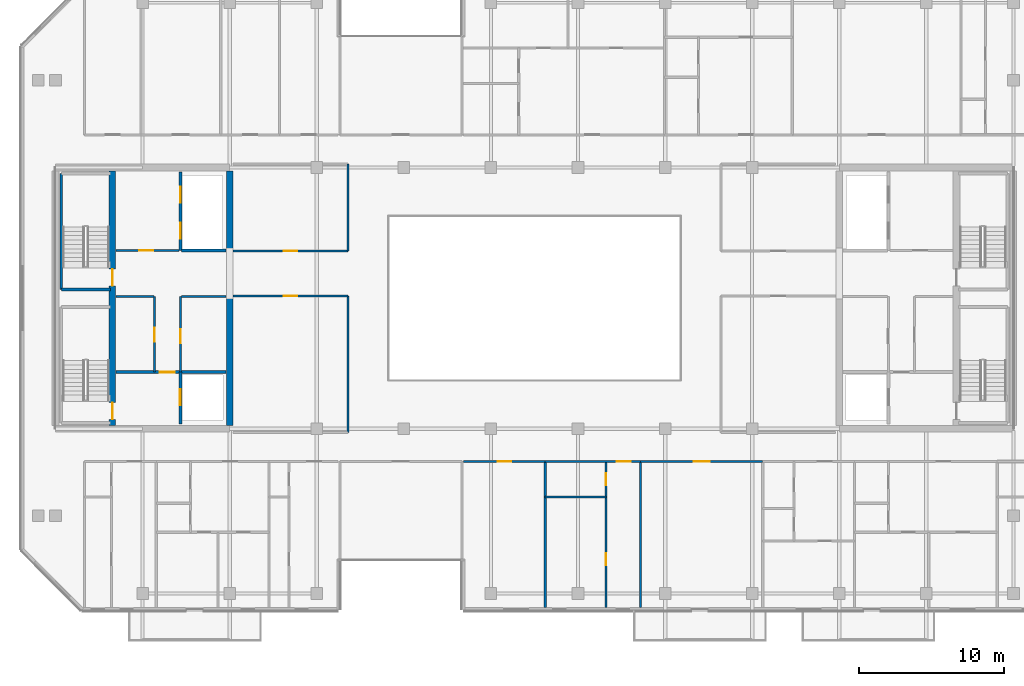
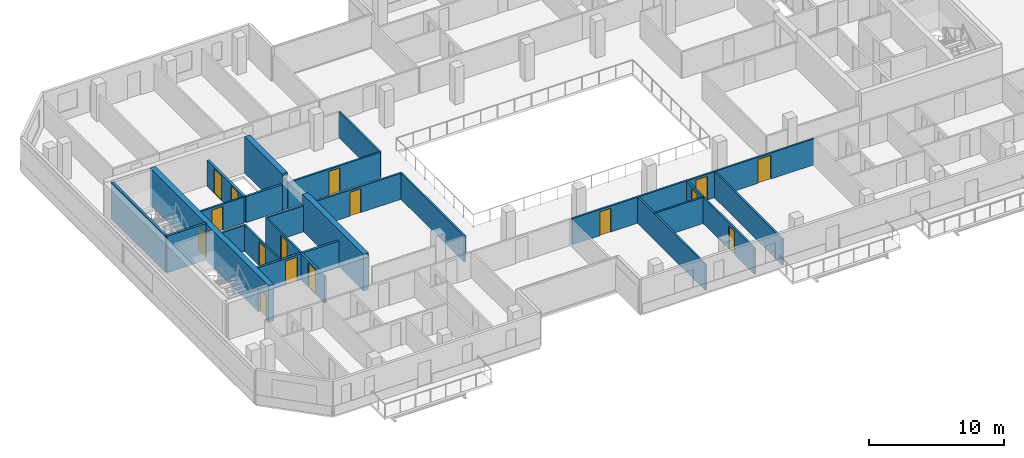
# One storey, part 7 of 16: 25 walls, 16 doors, 16 openings.
"""IFC4 building model written with IfcOpenShell, lengths in metres."""

import ifcopenshell
import ifcopenshell.guid

model = None  # the IFC model being written
_history = None  # IfcOwnerHistory: only IFC2X3 demands one
_inside = {}  # id of a spatial element -> (the spatial element, [elements in it])
_under = {}  # id of a project, library or spatial element -> (it, [spatial elements below it])
_declared = {}  # id of a project -> (the project, [libraries it declares])
_typed = {}  # id of a type object -> (the type object, [elements of that type])
_made_of = {}  # id of a material, layer set ... -> (it, [elements and type objects made of it])


def new_model(schema):
    """Start an empty IFC model of exactly this schema.

    Asked for "IFC4X3", IfcOpenShell would pick the latest addendum, in which some entities
    have other attributes; the version numbers below select the first issue.
    IFC2X3 requires an IfcOwnerHistory on every rooted entity: one is made here for all.
    """
    global model, _history
    if schema == "IFC4X3":
        model = ifcopenshell.file(schema_version=(4, 3, 0, 0))
    else:
        model = ifcopenshell.file(schema=schema)
    _inside.clear()
    _under.clear()
    _declared.clear()
    _typed.clear()
    _made_of.clear()
    _history = None
    if model.schema == "IFC2X3":
        org = make("IfcOrganization", Name="unknown")
        user = make(
            "IfcPersonAndOrganization",
            ThePerson=make("IfcPerson", FamilyName="unknown"),
            TheOrganization=org,
        )
        app = make(
            "IfcApplication",
            ApplicationDeveloper=org,
            Version="unknown",
            ApplicationFullName="unknown",
            ApplicationIdentifier="unknown",
        )
        _history = make(
            "IfcOwnerHistory",
            OwningUser=user,
            OwningApplication=app,
            ChangeAction="ADDED",
            CreationDate=0,
        )
    return model


def make(cls, **values):
    """One entity of the class cls with the attributes given. An attribute that is None is left unset."""
    return model.create_entity(
        cls, **{name: value for name, value in values.items() if value is not None}
    )


def rooted(cls, **values):
    """An entity with a GlobalId (a new one), such as an element, a storey or a relation."""
    return make(cls, GlobalId=ifcopenshell.guid.new(), OwnerHistory=_history, **values)


def si_unit(unit_type, name, prefix=None):
    """IfcSIUnit, for example si_unit("LENGTHUNIT", "METRE", prefix="MILLI")."""
    return make("IfcSIUnit", UnitType=unit_type, Prefix=prefix, Name=name)


def assignment(units):
    """IfcUnitAssignment: the units of a project."""
    return None if units is None else make("IfcUnitAssignment", Units=units)


def point(xyz):
    """IfcCartesianPoint."""
    return None if xyz is None else make("IfcCartesianPoint", Coordinates=xyz)


def direction(xyz):
    """IfcDirection."""
    return None if xyz is None else make("IfcDirection", DirectionRatios=xyz)


def frame(location, z_axis=None, x_axis=None):
    """IfcAxis2Placement3D, a coordinate frame: its origin and axes. An axis left out is left unset."""
    return make(
        "IfcAxis2Placement3D",
        Location=point(location),
        Axis=direction(z_axis),
        RefDirection=direction(x_axis),
    )


def frame_2d(location, x_axis=None):
    """IfcAxis2Placement2D, a coordinate frame in the plane: its origin and x axis."""
    return make(
        "IfcAxis2Placement2D", Location=point(location), RefDirection=direction(x_axis)
    )


def origin():
    """The frame at (0, 0, 0) with its axes left unset."""
    return frame((0.0, 0.0, 0.0))


def place(relative_to, where):
    """IfcLocalPlacement: puts the frame where relative to a parent placement (None: the world)."""
    return make(
        "IfcLocalPlacement", PlacementRelTo=relative_to, RelativePlacement=where
    )


def context(
    kind, dimensions, precision=None, world=None, true_north=None, identifier=None
):
    """IfcGeometricRepresentationContext, for example the 3D "Model" context."""
    return make(
        "IfcGeometricRepresentationContext",
        ContextIdentifier=identifier,
        ContextType=kind,
        CoordinateSpaceDimension=dimensions,
        Precision=precision,
        WorldCoordinateSystem=world,
        TrueNorth=true_north,
    )


def subcontext(parent, identifier, kind, view, scale=None):
    """IfcGeometricRepresentationSubContext, for example "Body" below "Model"."""
    return make(
        "IfcGeometricRepresentationSubContext",
        ContextIdentifier=identifier,
        ContextType=kind,
        ParentContext=parent,
        TargetScale=scale,
        TargetView=view,
    )


def project(units=None, contexts=None):
    """IfcProject with its units and contexts."""
    return rooted(
        "IfcProject",
        Name="project",
        RepresentationContexts=contexts,
        UnitsInContext=assignment(units),
    )


def spatial(cls, under=None, at=None, **own):
    """A site, building, storey or space (cls), placed at a placement, below another one or the project."""
    s = rooted(cls, ObjectPlacement=at, **own)
    if under is not None:
        _under.setdefault(under.id(), (under, []))[1].append(s)
    return s


def profile(cls, at=None, kind="AREA", **sizes):
    """A parametric profile (cls). Its sizes go by their IFC names, for example OverallWidth=200.0."""
    return make(cls, ProfileType=kind, Position=at, **sizes)


def rectangle(**sizes):
    """IfcRectangleProfileDef."""
    return profile("IfcRectangleProfileDef", **sizes)


def extrude(swept, where, along, depth):
    """IfcExtrudedAreaSolid: the profile swept, set in the frame where, extruded along a direction by depth."""
    return make(
        "IfcExtrudedAreaSolid",
        SweptArea=swept,
        Position=where,
        ExtrudedDirection=direction(along),
        Depth=depth,
    )


def shape(context_of_items, identifier, shape_type, items):
    """IfcShapeRepresentation: the items that make up one representation, for example the "Body"."""
    return make(
        "IfcShapeRepresentation",
        ContextOfItems=context_of_items,
        RepresentationIdentifier=identifier,
        RepresentationType=shape_type,
        Items=items,
    )


def material(Name=None, Category=None):
    """IfcMaterial."""
    return make("IfcMaterial", Name=Name, Category=Category)


def layer(
    of_material, thickness, ventilated=None, Name=None, Category=None, Priority=None
):
    """IfcMaterialLayer: one layer of a wall or slab, of a material (None: an air gap)."""
    return make(
        "IfcMaterialLayer",
        Material=of_material,
        LayerThickness=thickness,
        IsVentilated=ventilated,
        Name=Name,
        Category=Category,
        Priority=Priority,
    )


def layer_set(layers, Name=None):
    """IfcMaterialLayerSet."""
    return make("IfcMaterialLayerSet", MaterialLayers=layers, LayerSetName=Name)


def made_of(thing, what):
    """Note that an element or type object is made of a material, layer set ...; save() writes the relation."""
    if what is not None:
        _made_of.setdefault(what.id(), (what, []))[1].append(thing)
    return thing


def type_object(cls, material=None, **own):
    """A type object (cls), such as IfcWallType, which elements share."""
    return made_of(rooted(cls, **own), material)


def element(
    cls,
    number,
    at=None,
    inside=None,
    cuts=None,
    type_object=None,
    material=None,
    context=None,
    identifier="Body",
    shape_type=None,
    held_by="IfcProductDefinitionShape",
    body=None,
    shapes=None,
    **own,
):
    """One element of the class cls, such as IfcWall. Its Tag is "e" and its number.

    at: its placement. inside: the storey or other place that contains it. cuts: it is an
    opening in that element (IfcRelVoidsElement). A single representation is given by context,
    identifier, shape_type and body (its items); several are given by shapes. held_by: the class
    of the entity that holds the representations. save() writes the other relations.
    """
    e = rooted(cls, Tag="e%d" % number, ObjectPlacement=at, **own)
    if body is not None:
        shapes = [shape(context, identifier, shape_type, body)]
    if shapes is not None:
        e.Representation = make(held_by, Representations=shapes)
    if inside is not None:
        _inside.setdefault(inside.id(), (inside, []))[1].append(e)
    if cuts is not None:
        rooted(
            "IfcRelVoidsElement", RelatingBuildingElement=cuts, RelatedOpeningElement=e
        )
    if type_object is not None:
        _typed.setdefault(type_object.id(), (type_object, []))[1].append(e)
    return made_of(e, material)


def fill(opening, filler):
    """IfcRelFillsElement: the door or window that sits in an opening."""
    return rooted(
        "IfcRelFillsElement",
        RelatingOpeningElement=opening,
        RelatedBuildingElement=filler,
    )


def aggregate(whole, parts):
    """IfcRelAggregates: a whole, such as a stair, and the parts it consists of."""
    return rooted("IfcRelAggregates", RelatingObject=whole, RelatedObjects=parts)


def save(model, path):
    """Write the relations noted so far, then the file.

    IfcRelAggregates (storeys below a building ...), IfcRelContainedInSpatialStructure (elements
    in a storey), IfcRelDefinesByType, IfcRelAssociatesMaterial and IfcRelDeclares: one each for
    every whole, place, type object, material and project.
    """
    for whole, parts in _under.values():
        aggregate(whole, parts)
    for where, things in _inside.values():
        rooted(
            "IfcRelContainedInSpatialStructure",
            RelatedElements=things,
            RelatingStructure=where,
        )
    for kind, things in _typed.values():
        rooted("IfcRelDefinesByType", RelatedObjects=things, RelatingType=kind)
    for what, things in _made_of.values():
        rooted("IfcRelAssociatesMaterial", RelatedObjects=things, RelatingMaterial=what)
    for by, libraries in _declared.values():
        rooted("IfcRelDeclares", RelatingContext=by, RelatedDefinitions=libraries)
    model.write(path)


model = new_model("IFC4")

# Units and contexts
model_context = context("Model", 3, precision=1e-05, world=origin(), true_north=direction((0.0, 1.0)))
body_context = subcontext(model_context, "Body", "Model", "MODEL_VIEW")
ifc_project = project(units=[si_unit("LENGTHUNIT", "METRE"), si_unit("AREAUNIT", "SQUARE_METRE"), si_unit("VOLUMEUNIT", "CUBIC_METRE"), si_unit("PLANEANGLEUNIT", "RADIAN"), si_unit("MASSUNIT", "GRAM", prefix="KILO")], contexts=[model_context])

# Site, building, storey
site_placement = place(None, origin())
site = spatial("IfcSite", under=ifc_project, at=site_placement, CompositionType="ELEMENT")
building_placement = place(site_placement, origin())
building = spatial("IfcBuilding", under=site, at=building_placement, Name="Tanjung Sevakor Pilgrim Tower", CompositionType="ELEMENT")
storey_placement = place(building_placement, frame((0.0, 0.0, 198.330078125)))
storey = spatial("IfcBuildingStorey", under=building, at=storey_placement, Name="L55", CompositionType="ELEMENT", Elevation=198.330078125)

# Walls
ifc_material_1 = material(Name="Concrete C60/75", Category="concrete")
ifc_layer_1 = layer(ifc_material_1, 0.449951171875)
ifc_layer_set_1 = layer_set([ifc_layer_1], Name="WALL-CW-450")
wall_type_1 = type_object("IfcWallType", Name="WALL-CW-450", PredefinedType="SHEAR", material=ifc_layer_set_1)
wall_1_placement = place(storey_placement, frame((36.0, 24.824951171875, 0.0), z_axis=(0.0, 0.0, 1.0), x_axis=(0.0, 1.0, 0.0)))
element("IfcWall", 1, at=wall_1_placement, inside=storey, type_object=wall_type_1, Name="L55 W Core Inner Shear Wall South", PredefinedType="SHEAR", context=body_context, shape_type="SweptSolid", body=[
    extrude(rectangle(XDim=8.97509765625, YDim=0.449951171875, at=frame_2d((4.487548828125, 0.0))), origin(), (0.0, 0.0, 1.0), 3.2998046875),
])
wall_2_placement = place(storey_placement, frame((36.0, 36.800048828125, 0.0), z_axis=(0.0, 0.0, 1.0), x_axis=(0.0, 1.0, 0.0)))
element("IfcWall", 2, at=wall_2_placement, inside=storey, type_object=wall_type_1, Name="L55 W Core Inner Shear Wall North", PredefinedType="SHEAR", context=body_context, shape_type="SweptSolid", body=[
    extrude(rectangle(XDim=5.574951171875, YDim=0.449951171875, at=frame_2d((2.78759765625, 0.0))), origin(), (0.0, 0.0, 1.0), 3.2998046875),
])

# Wall, openings, doors
wall_3_placement = place(storey_placement, frame((27.925048828125, 24.824951171875, 0.0), z_axis=(0.0, 0.0, 1.0), x_axis=(0.0, 1.0, 0.0)))
wall_3 = element("IfcWall", 3, at=wall_3_placement, inside=storey, type_object=wall_type_1, Name="L55 W Core Stair Spine Wall", PredefinedType="SHEAR", context=body_context, shape_type="SweptSolid", body=[
    extrude(rectangle(XDim=17.550048828125, YDim=0.449951171875, at=frame_2d((8.77490234375, 0.0))), origin(), (0.0, 0.0, 1.0), 3.2998046875),
])
opening_1_placement = place(wall_3_placement, frame((0.425048828125, 0.0, 0.0)))
opening_1 = element("IfcOpeningElement", 4, at=opening_1_placement, cuts=wall_3, Name="Opening ID-ST1", PredefinedType="OPENING", context=body_context, shape_type="SweptSolid", body=[
    extrude(rectangle(XDim=1.14990234375, YDim=2.14990234375, at=frame_2d((0.574951171875, 1.074951171875))), frame((0.0, 0.23486328125, 0.0), z_axis=(0.0, -1.0, 0.0), x_axis=(1.0, 0.0, 0.0)), (0.0, 0.0, 1.0), 0.469970703125),
])
opening_2_placement = place(wall_3_placement, frame((9.625, 0.0, 0.0)))
opening_2 = element("IfcOpeningElement", 5, at=opening_2_placement, cuts=wall_3, Name="Opening ID-ST1", PredefinedType="OPENING", context=body_context, shape_type="SweptSolid", body=[
    extrude(rectangle(XDim=1.14990234375, YDim=2.14990234375, at=frame_2d((0.574951171875, 1.074951171875))), frame((0.0, 0.23486328125, 0.0), z_axis=(0.0, -1.0, 0.0), x_axis=(1.0, 0.0, 0.0)), (0.0, 0.0, 1.0), 0.469970703125),
])
ifc_material_2 = material(Name="Fire-Rated Steel S355J2", Category="steel")
door_type_1 = type_object("IfcDoorType", Name="DT-FIRE-1150", OperationType="NOTDEFINED", PredefinedType="DOOR", material=ifc_material_2)
door_1_placement = place(opening_1_placement, origin())
door_1 = element("IfcDoor", 6, at=door_1_placement, inside=storey, type_object=door_type_1, Name="L55 TS-W1 Stair Fire Door", OperationType="SINGLE_SWING_LEFT", OverallHeight=2.14990234375, OverallWidth=1.14990234375, PredefinedType="DOOR", context=body_context, shape_type="SweptSolid", body=[
    extrude(rectangle(XDim=1.14990234375, YDim=2.14990234375, at=frame_2d((0.574951171875, 1.074951171875))), frame((0.0, 0.02490234375, 0.0), z_axis=(0.0, -1.0, 0.0), x_axis=(1.0, 0.0, 0.0)), (0.0, 0.0, 1.0), 0.050048828125),
])
fill(opening_1, door_1)
door_2_placement = place(opening_2_placement, origin())
door_2 = element("IfcDoor", 7, at=door_2_placement, inside=storey, type_object=door_type_1, Name="L55 TS-W2 Stair Fire Door", OperationType="SINGLE_SWING_RIGHT", OverallHeight=2.14990234375, OverallWidth=1.14990234375, PredefinedType="DOOR", context=body_context, shape_type="SweptSolid", body=[
    extrude(rectangle(XDim=1.14990234375, YDim=2.14990234375, at=frame_2d((0.574951171875, 1.074951171875))), frame((0.0, 0.02490234375, 0.0), z_axis=(0.0, -1.0, 0.0), x_axis=(1.0, 0.0, 0.0)), (0.0, 0.0, 1.0), 0.050048828125),
])
fill(opening_2, door_2)

# Wall
ifc_material_3 = material(Name="Concrete C40/50", Category="concrete")
ifc_layer_2 = layer(ifc_material_3, 0.14990234375)
ifc_layer_set_2 = layer_set([ifc_layer_2], Name="WT-COMP-150")
wall_type_2 = type_object("IfcWallType", Name="WT-COMP-150", PredefinedType="SOLIDWALL", material=ifc_layer_set_2)
wall_4_placement = place(storey_placement, frame((28.169921875, 33.719970703125, 0.0), z_axis=(0.0, 0.0, 1.0), x_axis=(1.0, 0.0, 0.0)))
element("IfcWall", 8, at=wall_4_placement, inside=storey, type_object=wall_type_2, Name="L55 Partition IW-L55-003", PredefinedType="SOLIDWALL", context=body_context, shape_type="SweptSolid", body=[
    extrude(rectangle(XDim=2.630126953125, YDim=0.14990234375, at=frame_2d((1.31494140625, 0.0))), origin(), (0.0, 0.0, 1.0), 2.35009765625),
])

# Wall, opening, door
wall_5_placement = place(storey_placement, frame((30.820068359375, 28.5, 0.0), z_axis=(0.0, 0.0, 1.0), x_axis=(0.0, 1.0, 0.0)))
wall_5 = element("IfcWall", 9, at=wall_5_placement, inside=storey, type_object=wall_type_2, Name="L55 Partition IW-L55-004", PredefinedType="SOLIDWALL", context=body_context, shape_type="SweptSolid", body=[
    extrude(rectangle(XDim=5.219970703125, YDim=0.14990234375, at=frame_2d((2.60986328125, 0.0))), origin(), (0.0, 0.0, 1.0), 2.35009765625),
])
opening_3_placement = place(wall_5_placement, frame((2.10009765625, 0.0, 0.0)))
opening_3 = element("IfcOpeningElement", 10, at=opening_3_placement, cuts=wall_5, Name="Opening ID-FD2", PredefinedType="OPENING", context=body_context, shape_type="SweptSolid", body=[
    extrude(rectangle(XDim=0.949951171875, YDim=2.14990234375, at=frame_2d((0.47509765625, 1.074951171875))), frame((0.0, 0.0849609375, 0.0), z_axis=(0.0, -1.0, 0.0), x_axis=(1.0, 0.0, 0.0)), (0.0, 0.0, 1.0), 0.169921875),
])
ifc_material_4 = material(Name="Fire-Rated Timber", Category="wood")
door_type_2 = type_object("IfcDoorType", Name="DT-FIRE-950", OperationType="NOTDEFINED", PredefinedType="DOOR", material=ifc_material_4)
door_3_placement = place(opening_3_placement, origin())
door_3 = element("IfcDoor", 11, at=door_3_placement, inside=storey, type_object=door_type_2, Name="L55 Housekeeping Pantry Door", OperationType="SINGLE_SWING_RIGHT", OverallHeight=2.14990234375, OverallWidth=0.949951171875, PredefinedType="DOOR", context=body_context, shape_type="SweptSolid", body=[
    extrude(rectangle(XDim=0.949951171875, YDim=2.14990234375, at=frame_2d((0.47509765625, 1.074951171875))), frame((0.0, 0.02490234375, 0.0), z_axis=(0.0, -1.0, 0.0), x_axis=(1.0, 0.0, 0.0)), (0.0, 0.0, 1.0), 0.050048828125),
])
fill(opening_3, door_3)

# Wall
wall_6_placement = place(storey_placement, frame((32.679931640625, 33.719970703125, 0.0), z_axis=(0.0, 0.0, 1.0), x_axis=(1.0, 0.0, 0.0)))
element("IfcWall", 12, at=wall_6_placement, inside=storey, type_object=wall_type_2, Name="L55 Partition IW-L55-005", PredefinedType="SOLIDWALL", context=body_context, shape_type="SweptSolid", body=[
    extrude(rectangle(XDim=3.074951171875, YDim=0.14990234375, at=frame_2d((1.53759765625, 0.0))), origin(), (0.0, 0.0, 1.0), 2.35009765625),
])

# Wall, opening, door
wall_7_placement = place(storey_placement, frame((32.6201171875, 28.5, 0.0), z_axis=(0.0, 0.0, 1.0), x_axis=(0.0, 1.0, 0.0)))
wall_7 = element("IfcWall", 13, at=wall_7_placement, inside=storey, type_object=wall_type_2, Name="L55 Partition IW-L55-006", PredefinedType="SOLIDWALL", context=body_context, shape_type="SweptSolid", body=[
    extrude(rectangle(XDim=5.219970703125, YDim=0.14990234375, at=frame_2d((2.60986328125, 0.0))), origin(), (0.0, 0.0, 1.0), 2.35009765625),
])
opening_4_placement = place(wall_7_placement, frame((2.0, 0.0, 0.0)))
opening_4 = element("IfcOpeningElement", 14, at=opening_4_placement, cuts=wall_7, Name="Opening ID-FD2", PredefinedType="OPENING", context=body_context, shape_type="SweptSolid", body=[
    extrude(rectangle(XDim=0.949951171875, YDim=2.14990234375, at=frame_2d((0.47509765625, 1.074951171875))), frame((0.0, 0.0849609375, 0.0), z_axis=(0.0, -1.0, 0.0), x_axis=(1.0, 0.0, 0.0)), (0.0, 0.0, 1.0), 0.169921875),
])
door_4_placement = place(opening_4_placement, origin())
door_4 = element("IfcDoor", 15, at=door_4_placement, inside=storey, type_object=door_type_2, Name="L55 Accessible WC Door", OperationType="SINGLE_SWING_LEFT", OverallHeight=2.14990234375, OverallWidth=0.949951171875, PredefinedType="DOOR", context=body_context, shape_type="SweptSolid", body=[
    extrude(rectangle(XDim=0.949951171875, YDim=2.14990234375, at=frame_2d((0.47509765625, 1.074951171875))), frame((0.0, 0.02490234375, 0.0), z_axis=(0.0, -1.0, 0.0), x_axis=(1.0, 0.0, 0.0)), (0.0, 0.0, 1.0), 0.050048828125),
])
fill(opening_4, door_4)

wall_8_placement = place(storey_placement, frame((28.169921875, 36.8798828125, 0.0), z_axis=(0.0, 0.0, 1.0), x_axis=(1.0, 0.0, 0.0)))
wall_8 = element("IfcWall", 16, at=wall_8_placement, inside=storey, type_object=wall_type_2, Name="L55 Partition IW-L55-007", PredefinedType="SOLIDWALL", context=body_context, shape_type="SweptSolid", body=[
    extrude(rectangle(XDim=4.330078125, YDim=0.14990234375, at=frame_2d((2.1650390625, 0.0))), origin(), (0.0, 0.0, 1.0), 2.35009765625),
])
opening_5_placement = place(wall_8_placement, frame((1.60009765625, 0.0, 0.0)))
opening_5 = element("IfcOpeningElement", 17, at=opening_5_placement, cuts=wall_8, Name="Opening ID-FD2", PredefinedType="OPENING", context=body_context, shape_type="SweptSolid", body=[
    extrude(rectangle(XDim=0.949951171875, YDim=2.14990234375, at=frame_2d((0.47509765625, 1.074951171875))), frame((0.0, 0.0849609375, 0.0), z_axis=(0.0, -1.0, 0.0), x_axis=(1.0, 0.0, 0.0)), (0.0, 0.0, 1.0), 0.169921875),
])
door_5_placement = place(opening_5_placement, origin())
door_5 = element("IfcDoor", 18, at=door_5_placement, inside=storey, type_object=door_type_2, Name="L55 Core Prayer Room Door", OperationType="SINGLE_SWING_RIGHT", OverallHeight=2.14990234375, OverallWidth=0.949951171875, PredefinedType="DOOR", context=body_context, shape_type="SweptSolid", body=[
    extrude(rectangle(XDim=0.949951171875, YDim=2.14990234375, at=frame_2d((0.47509765625, 1.074951171875))), frame((0.0, 0.02490234375, 0.0), z_axis=(0.0, -1.0, 0.0), x_axis=(1.0, 0.0, 0.0)), (0.0, 0.0, 1.0), 0.050048828125),
])
fill(opening_5, door_5)

wall_9_placement = place(storey_placement, frame((36.2451171875, 33.75, 0.0), z_axis=(0.0, 0.0, 1.0), x_axis=(1.0, 0.0, 0.0)))
wall_9 = element("IfcWall", 19, at=wall_9_placement, inside=storey, type_object=wall_type_2, Name="L55 Partition IW-L55-020", PredefinedType="SOLIDWALL", context=body_context, shape_type="SweptSolid", body=[
    extrude(rectangle(XDim=7.90478515625, YDim=0.14990234375, at=frame_2d((3.952392578125, 0.0))), origin(), (0.0, 0.0, 1.0), 2.35009765625),
])
opening_6_placement = place(wall_9_placement, frame((3.4775390625, 0.0, 0.0)))
opening_6 = element("IfcOpeningElement", 20, at=opening_6_placement, cuts=wall_9, Name="Opening ID-RM1", PredefinedType="OPENING", context=body_context, shape_type="SweptSolid", body=[
    extrude(rectangle(XDim=0.949951171875, YDim=2.14990234375, at=frame_2d((0.47509765625, 1.074951171875))), frame((0.0, 0.0849609375, 0.0), z_axis=(0.0, -1.0, 0.0), x_axis=(1.0, 0.0, 0.0)), (0.0, 0.0, 1.0), 0.169921875),
])
ifc_material_5 = material(Name="Hardwood Timber", Category="wood")
door_type_3 = type_object("IfcDoorType", Name="DT-INT-950", OperationType="NOTDEFINED", PredefinedType="DOOR", material=ifc_material_5)
door_6_placement = place(opening_6_placement, origin())
door_6 = element("IfcDoor", 21, at=door_6_placement, inside=storey, type_object=door_type_3, Name="L55 West Inboard South Door", OperationType="SINGLE_SWING_RIGHT", OverallHeight=2.14990234375, OverallWidth=0.949951171875, PredefinedType="DOOR", context=body_context, shape_type="SweptSolid", body=[
    extrude(rectangle(XDim=0.949951171875, YDim=2.14990234375, at=frame_2d((0.47509765625, 1.074951171875))), frame((0.0, 0.02490234375, 0.0), z_axis=(0.0, -1.0, 0.0), x_axis=(1.0, 0.0, 0.0)), (0.0, 0.0, 1.0), 0.050048828125),
])
fill(opening_6, door_6)

# Wall
wall_10_placement = place(storey_placement, frame((44.14990234375, 24.35009765625, 0.0), z_axis=(0.0, 0.0, 1.0), x_axis=(0.0, 1.0, 0.0)))
element("IfcWall", 22, at=wall_10_placement, inside=storey, type_object=wall_type_2, Name="L55 Partition IW-L55-021", PredefinedType="SOLIDWALL", context=body_context, shape_type="SweptSolid", body=[
    extrude(rectangle(XDim=9.39990234375, YDim=0.14990234375, at=frame_2d((4.699951171875, 0.0))), origin(), (0.0, 0.0, 1.0), 2.35009765625),
])

# Wall, opening, door
wall_11_placement = place(storey_placement, frame((36.2451171875, 36.85009765625, 0.0), z_axis=(0.0, 0.0, 1.0), x_axis=(1.0, 0.0, 0.0)))
wall_11 = element("IfcWall", 23, at=wall_11_placement, inside=storey, type_object=wall_type_2, Name="L55 Partition IW-L55-022", PredefinedType="SOLIDWALL", context=body_context, shape_type="SweptSolid", body=[
    extrude(rectangle(XDim=7.90478515625, YDim=0.14990234375, at=frame_2d((3.952392578125, 0.0))), origin(), (0.0, 0.0, 1.0), 2.35009765625),
])
opening_7_placement = place(wall_11_placement, frame((3.4775390625, 0.0, 0.0)))
opening_7 = element("IfcOpeningElement", 24, at=opening_7_placement, cuts=wall_11, Name="Opening ID-RM1", PredefinedType="OPENING", context=body_context, shape_type="SweptSolid", body=[
    extrude(rectangle(XDim=0.949951171875, YDim=2.14990234375, at=frame_2d((0.47509765625, 1.074951171875))), frame((0.0, 0.0849609375, 0.0), z_axis=(0.0, -1.0, 0.0), x_axis=(1.0, 0.0, 0.0)), (0.0, 0.0, 1.0), 0.169921875),
])
door_7_placement = place(opening_7_placement, origin())
door_7 = element("IfcDoor", 25, at=door_7_placement, inside=storey, type_object=door_type_3, Name="L55 West Inboard North Door", OperationType="SINGLE_SWING_LEFT", OverallHeight=2.14990234375, OverallWidth=0.949951171875, PredefinedType="DOOR", context=body_context, shape_type="SweptSolid", body=[
    extrude(rectangle(XDim=0.949951171875, YDim=2.14990234375, at=frame_2d((0.47509765625, 1.074951171875))), frame((0.0, 0.02490234375, 0.0), z_axis=(0.0, -1.0, 0.0), x_axis=(1.0, 0.0, 0.0)), (0.0, 0.0, 1.0), 0.050048828125),
])
fill(opening_7, door_7)

# Walls
wall_12_placement = place(storey_placement, frame((44.14990234375, 36.85009765625, 0.0), z_axis=(0.0, 0.0, 1.0), x_axis=(0.0, 1.0, 0.0)))
element("IfcWall", 26, at=wall_12_placement, inside=storey, type_object=wall_type_2, Name="L55 Partition IW-L55-024", PredefinedType="SOLIDWALL", context=body_context, shape_type="SweptSolid", body=[
    extrude(rectangle(XDim=6.0, YDim=0.14990234375, at=frame_2d((3.0, 0.0))), origin(), (0.0, 0.0, 1.0), 2.35009765625),
])
wall_13_placement = place(storey_placement, frame((57.739013671875, 12.27001953125, 0.0), z_axis=(0.0, 0.0, 1.0), x_axis=(0.0, 1.0, 0.0)))
element("IfcWall", 27, at=wall_13_placement, inside=storey, type_object=wall_type_2, Name="L55 Partition IW-L55-052", PredefinedType="SOLIDWALL", context=body_context, shape_type="SweptSolid", body=[
    extrude(rectangle(XDim=10.080078125, YDim=0.14990234375, at=frame_2d((5.0400390625, 0.0))), origin(), (0.0, 0.0, 1.0), 2.35009765625),
])

# Wall, opening, door
wall_14_placement = place(storey_placement, frame((52.1201171875, 22.35009765625, 0.0), z_axis=(0.0, 0.0, 1.0), x_axis=(1.0, 0.0, 0.0)))
wall_14 = element("IfcWall", 28, at=wall_14_placement, inside=storey, type_object=wall_type_2, Name="L55 Partition IW-L55-053", PredefinedType="SOLIDWALL", context=body_context, shape_type="SweptSolid", body=[
    extrude(rectangle(XDim=5.618896484375, YDim=0.14990234375, at=frame_2d((2.8095703125, 0.0))), origin(), (0.0, 0.0, 1.0), 2.35009765625),
])
opening_8_placement = place(wall_14_placement, frame((2.334716796875, 0.0, 0.0)))
opening_8 = element("IfcOpeningElement", 29, at=opening_8_placement, cuts=wall_14, Name="Opening ID-FD2", PredefinedType="OPENING", context=body_context, shape_type="SweptSolid", body=[
    extrude(rectangle(XDim=0.949951171875, YDim=2.14990234375, at=frame_2d((0.47509765625, 1.074951171875))), frame((0.0, 0.0849609375, 0.0), z_axis=(0.0, -1.0, 0.0), x_axis=(1.0, 0.0, 0.0)), (0.0, 0.0, 1.0), 0.169921875),
])
door_8_placement = place(opening_8_placement, origin())
door_8 = element("IfcDoor", 30, at=door_8_placement, inside=storey, type_object=door_type_2, Name="Housekeeping Pantry Door", OperationType="SINGLE_SWING_LEFT", OverallHeight=2.14990234375, OverallWidth=0.949951171875, PredefinedType="DOOR", context=body_context, shape_type="SweptSolid", body=[
    extrude(rectangle(XDim=0.949951171875, YDim=2.14990234375, at=frame_2d((0.47509765625, 1.074951171875))), frame((0.0, 0.02490234375, 0.0), z_axis=(0.0, -1.0, 0.0), x_axis=(1.0, 0.0, 0.0)), (0.0, 0.0, 1.0), 0.050048828125),
])
fill(opening_8, door_8)

# Wall
wall_15_placement = place(storey_placement, frame((64.294921875, 12.27001953125, 0.0), z_axis=(0.0, 0.0, 1.0), x_axis=(0.0, 1.0, 0.0)))
element("IfcWall", 31, at=wall_15_placement, inside=storey, type_object=wall_type_2, Name="L55 Partition IW-L55-054", PredefinedType="SOLIDWALL", context=body_context, shape_type="SweptSolid", body=[
    extrude(rectangle(XDim=10.080078125, YDim=0.14990234375, at=frame_2d((5.0400390625, 0.0))), origin(), (0.0, 0.0, 1.0), 2.35009765625),
])

# Wall, opening, door
wall_16_placement = place(storey_placement, frame((57.739013671875, 22.35009765625, 0.0), z_axis=(0.0, 0.0, 1.0), x_axis=(1.0, 0.0, 0.0)))
wall_16 = element("IfcWall", 32, at=wall_16_placement, inside=storey, type_object=wall_type_2, Name="L55 Partition IW-L55-057", PredefinedType="SOLIDWALL", context=body_context, shape_type="SweptSolid", body=[
    extrude(rectangle(XDim=6.555908203125, YDim=0.14990234375, at=frame_2d((3.27783203125, 0.0))), origin(), (0.0, 0.0, 1.0), 2.35009765625),
])
opening_9_placement = place(wall_16_placement, frame((4.933349609375, 0.0, 0.0)))
opening_9 = element("IfcOpeningElement", 33, at=opening_9_placement, cuts=wall_16, Name="Opening ID-FD2", PredefinedType="OPENING", context=body_context, shape_type="SweptSolid", body=[
    extrude(rectangle(XDim=0.949951171875, YDim=2.14990234375, at=frame_2d((0.47509765625, 1.074951171875))), frame((0.0, 0.0849609375, 0.0), z_axis=(0.0, -1.0, 0.0), x_axis=(1.0, 0.0, 0.0)), (0.0, 0.0, 1.0), 0.169921875),
])
door_9_placement = place(opening_9_placement, origin())
door_9 = element("IfcDoor", 34, at=door_9_placement, inside=storey, type_object=door_type_2, Name="Hostel Quad Entrance", OperationType="SINGLE_SWING_RIGHT", OverallHeight=2.14990234375, OverallWidth=0.949951171875, PredefinedType="DOOR", context=body_context, shape_type="SweptSolid", body=[
    extrude(rectangle(XDim=0.949951171875, YDim=2.14990234375, at=frame_2d((0.47509765625, 1.074951171875))), frame((0.0, 0.02490234375, 0.0), z_axis=(0.0, -1.0, 0.0), x_axis=(1.0, 0.0, 0.0)), (0.0, 0.0, 1.0), 0.050048828125),
])
fill(opening_9, door_9)

wall_17_placement = place(storey_placement, frame((64.294921875, 22.35009765625, 0.0), z_axis=(0.0, 0.0, 1.0), x_axis=(1.0, 0.0, 0.0)))
wall_17 = element("IfcWall", 35, at=wall_17_placement, inside=storey, type_object=wall_type_2, Name="L55 Partition IW-L55-059", PredefinedType="SOLIDWALL", context=body_context, shape_type="SweptSolid", body=[
    extrude(rectangle(XDim=8.428466796875, YDim=0.14990234375, at=frame_2d((4.21435546875, 0.0))), origin(), (0.0, 0.0, 1.0), 2.35009765625),
])
opening_10_placement = place(wall_17_placement, frame((3.664306640625, 0.0, 0.0)))
opening_10 = element("IfcOpeningElement", 36, at=opening_10_placement, cuts=wall_17, Name="Opening ID-FD0", PredefinedType="OPENING", context=body_context, shape_type="SweptSolid", body=[
    extrude(rectangle(XDim=1.10009765625, YDim=2.14990234375, at=frame_2d((0.550048828125, 1.074951171875))), frame((0.0, 0.0849609375, 0.0), z_axis=(0.0, -1.0, 0.0), x_axis=(1.0, 0.0, 0.0)), (0.0, 0.0, 1.0), 0.169921875),
])
ifc_material_6 = material(Name="Fire-Rated Steel S355J2", Category="steel")
door_type_4 = type_object("IfcDoorType", Name="DT-FIRE-1100", OperationType="NOTDEFINED", PredefinedType="DOOR", material=ifc_material_6)
door_10_placement = place(opening_10_placement, origin())
door_10 = element("IfcDoor", 37, at=door_10_placement, inside=storey, type_object=door_type_4, Name="Seminar Room Door", OperationType="SINGLE_SWING_LEFT", OverallHeight=2.14990234375, OverallWidth=1.10009765625, PredefinedType="DOOR", context=body_context, shape_type="SweptSolid", body=[
    extrude(rectangle(XDim=1.10009765625, YDim=2.14990234375, at=frame_2d((0.550048828125, 1.074951171875))), frame((0.0, 0.02490234375, 0.0), z_axis=(0.0, -1.0, 0.0), x_axis=(1.0, 0.0, 0.0)), (0.0, 0.0, 1.0), 0.050048828125),
])
fill(opening_10, door_10)

# Walls
ifc_material_7 = material(Name="Concrete C40/50", Category="concrete")
ifc_layer_3 = layer(ifc_material_7, 0.199951171875)
ifc_layer_set_3 = layer_set([ifc_layer_3], Name="WT-FIRE-200")
wall_type_3 = type_object("IfcWallType", Name="WT-FIRE-200", PredefinedType="SOLIDWALL", material=ifc_layer_set_3)
wall_18_placement = place(storey_placement, frame((24.39990234375, 34.199951171875, 0.0), z_axis=(0.0, 0.0, 1.0), x_axis=(1.0, 0.0, 0.0)))
element("IfcWall", 38, at=wall_18_placement, inside=storey, type_object=wall_type_3, Name="L55 TS-W2 Shaft Wall 1", PredefinedType="SOLIDWALL", context=body_context, shape_type="SweptSolid", body=[
    extrude(rectangle(XDim=3.400146484375, YDim=0.199951171875, at=frame_2d((1.7001953125, 0.0))), origin(), (0.0, 0.0, 1.0), 3.2998046875),
])
wall_19_placement = place(storey_placement, frame((24.39990234375, 42.199951171875, 0.0), z_axis=(0.0, 0.0, 1.0), x_axis=(0.0, -1.0, 0.0)))
element("IfcWall", 39, at=wall_19_placement, inside=storey, type_object=wall_type_3, Name="L55 TS-W2 Shaft Wall 3", PredefinedType="SOLIDWALL", context=body_context, shape_type="SweptSolid", body=[
    extrude(rectangle(XDim=8.0, YDim=0.199951171875, at=frame_2d((4.0, 0.0))), origin(), (0.0, 0.0, 1.0), 3.2998046875),
])

# Wall, opening, door
ifc_material_8 = material(Name="Concrete C40/50", Category="concrete")
ifc_layer_4 = layer(ifc_material_8, 0.199951171875)
ifc_layer_set_4 = layer_set([ifc_layer_4], Name="WT-FPRT-200")
wall_type_4 = type_object("IfcWallType", Name="WT-FPRT-200", PredefinedType="SOLIDWALL", material=ifc_layer_set_4)
wall_20_placement = place(storey_placement, frame((32.60009765625, 24.919921875, 0.0), z_axis=(0.0, 0.0, 1.0), x_axis=(0.0, 1.0, 0.0)))
wall_20 = element("IfcWall", 40, at=wall_20_placement, inside=storey, type_object=wall_type_4, Name="L55 Partition IW-L55-001", PredefinedType="SOLIDWALL", context=body_context, shape_type="SweptSolid", body=[
    extrude(rectangle(XDim=3.580078125, YDim=0.199951171875, at=frame_2d((1.7900390625, 0.0))), origin(), (0.0, 0.0, 1.0), 2.35009765625),
])
opening_11_placement = place(wall_20_placement, frame((1.300048828125, 0.0, 0.0)))
opening_11 = element("IfcOpeningElement", 41, at=opening_11_placement, cuts=wall_20, Name="Opening LD-1100", PredefinedType="OPENING", context=body_context, shape_type="SweptSolid", body=[
    extrude(rectangle(XDim=1.10009765625, YDim=2.199951171875, at=frame_2d((0.550048828125, 1.10009765625))), frame((0.0, 0.10986328125, 0.0), z_axis=(0.0, -1.0, 0.0), x_axis=(1.0, 0.0, 0.0)), (0.0, 0.0, 1.0), 0.219970703125),
])
ifc_material_9 = material(Name="Brushed Stainless Steel S355J2", Category="steel")
door_type_5 = type_object("IfcDoorType", Name="DT-LIFT-1100", OperationType="SLIDING_TO_LEFT", PredefinedType="DOOR", material=ifc_material_9)
door_11_placement = place(opening_11_placement, origin())
door_11 = element("IfcDoor", 42, at=door_11_placement, inside=storey, type_object=door_type_5, Name="LD-FL-W", OperationType="SLIDING_TO_LEFT", OverallHeight=2.199951171875, OverallWidth=1.10009765625, PredefinedType="DOOR", context=body_context, shape_type="SweptSolid", body=[
    extrude(rectangle(XDim=1.10009765625, YDim=2.199951171875, at=frame_2d((0.550048828125, 1.10009765625))), frame((0.0, 0.02490234375, 0.0), z_axis=(0.0, -1.0, 0.0), x_axis=(1.0, 0.0, 0.0)), (0.0, 0.0, 1.0), 0.050048828125),
])
fill(opening_11, door_11)

wall_21_placement = place(storey_placement, frame((28.169921875, 28.5, 0.0), z_axis=(0.0, 0.0, 1.0), x_axis=(1.0, 0.0, 0.0)))
wall_21 = element("IfcWall", 43, at=wall_21_placement, inside=storey, type_object=wall_type_4, Name="L55 Partition IW-L55-002", PredefinedType="SOLIDWALL", context=body_context, shape_type="SweptSolid", body=[
    extrude(rectangle(XDim=7.5849609375, YDim=0.199951171875, at=frame_2d((3.79248046875, 0.0))), origin(), (0.0, 0.0, 1.0), 2.35009765625),
])
opening_12_placement = place(wall_21_placement, frame((3.030029296875, 0.0, 0.0)))
opening_12 = element("IfcOpeningElement", 44, at=opening_12_placement, cuts=wall_21, Name="Opening ID-FD1", PredefinedType="OPENING", context=body_context, shape_type="SweptSolid", body=[
    extrude(rectangle(XDim=1.0, YDim=2.14990234375, at=frame_2d((0.5, 1.074951171875))), frame((0.0, 0.10986328125, 0.0), z_axis=(0.0, -1.0, 0.0), x_axis=(1.0, 0.0, 0.0)), (0.0, 0.0, 1.0), 0.219970703125),
])
ifc_material_10 = material(Name="Fire-Rated Steel S355J2", Category="steel")
door_type_6 = type_object("IfcDoorType", Name="DT-FIRE-1000", OperationType="NOTDEFINED", PredefinedType="DOOR", material=ifc_material_10)
door_12_placement = place(opening_12_placement, origin())
door_12 = element("IfcDoor", 45, at=door_12_placement, inside=storey, type_object=door_type_6, Name="Fire Lobby Door W", OperationType="SINGLE_SWING_LEFT", OverallHeight=2.14990234375, OverallWidth=1.0, PredefinedType="DOOR", context=body_context, shape_type="SweptSolid", body=[
    extrude(rectangle(XDim=1.0, YDim=2.14990234375, at=frame_2d((0.5, 1.074951171875))), frame((0.0, 0.02490234375, 0.0), z_axis=(0.0, -1.0, 0.0), x_axis=(1.0, 0.0, 0.0)), (0.0, 0.0, 1.0), 0.050048828125),
])
fill(opening_12, door_12)

# Wall
wall_22_placement = place(storey_placement, frame((32.679931640625, 36.8798828125, 0.0), z_axis=(0.0, 0.0, 1.0), x_axis=(1.0, 0.0, 0.0)))
element("IfcWall", 46, at=wall_22_placement, inside=storey, type_object=wall_type_4, Name="L55 Partition IW-L55-008", PredefinedType="SOLIDWALL", context=body_context, shape_type="SweptSolid", body=[
    extrude(rectangle(XDim=3.074951171875, YDim=0.199951171875, at=frame_2d((1.53759765625, 0.0))), origin(), (0.0, 0.0, 1.0), 2.35009765625),
])

# Wall, openings, doors
wall_23_placement = place(storey_placement, frame((32.6201171875, 36.8798828125, 0.0), z_axis=(0.0, 0.0, 1.0), x_axis=(0.0, 1.0, 0.0)))
wall_23 = element("IfcWall", 47, at=wall_23_placement, inside=storey, type_object=wall_type_4, Name="L55 Partition IW-L55-009", PredefinedType="SOLIDWALL", context=body_context, shape_type="SweptSolid", body=[
    extrude(rectangle(XDim=5.420166015625, YDim=0.199951171875, at=frame_2d((2.7099609375, 0.0))), origin(), (0.0, 0.0, 1.0), 2.35009765625),
])
opening_13_placement = place(wall_23_placement, frame((0.800048828125, 0.0, 0.0)))
opening_13 = element("IfcOpeningElement", 48, at=opening_13_placement, cuts=wall_23, Name="Opening LD-1100", PredefinedType="OPENING", context=body_context, shape_type="SweptSolid", body=[
    extrude(rectangle(XDim=1.10009765625, YDim=2.199951171875, at=frame_2d((0.550048828125, 1.10009765625))), frame((0.0, 0.10986328125, 0.0), z_axis=(0.0, -1.0, 0.0), x_axis=(1.0, 0.0, 0.0)), (0.0, 0.0, 1.0), 0.219970703125),
])
opening_14_placement = place(wall_23_placement, frame((3.300048828125, 0.0, 0.0)))
opening_14 = element("IfcOpeningElement", 49, at=opening_14_placement, cuts=wall_23, Name="Opening LD-1100", PredefinedType="OPENING", context=body_context, shape_type="SweptSolid", body=[
    extrude(rectangle(XDim=1.10009765625, YDim=2.199951171875, at=frame_2d((0.550048828125, 1.10009765625))), frame((0.0, 0.10986328125, 0.0), z_axis=(0.0, -1.0, 0.0), x_axis=(1.0, 0.0, 0.0)), (0.0, 0.0, 1.0), 0.219970703125),
])
door_13_placement = place(opening_13_placement, origin())
door_13 = element("IfcDoor", 50, at=door_13_placement, inside=storey, type_object=door_type_5, Name="LD-PLH1-W", OperationType="SLIDING_TO_LEFT", OverallHeight=2.199951171875, OverallWidth=1.10009765625, PredefinedType="DOOR", context=body_context, shape_type="SweptSolid", body=[
    extrude(rectangle(XDim=1.10009765625, YDim=2.199951171875, at=frame_2d((0.550048828125, 1.10009765625))), frame((0.0, 0.02490234375, 0.0), z_axis=(0.0, -1.0, 0.0), x_axis=(1.0, 0.0, 0.0)), (0.0, 0.0, 1.0), 0.050048828125),
])
fill(opening_13, door_13)
door_14_placement = place(opening_14_placement, origin())
door_14 = element("IfcDoor", 51, at=door_14_placement, inside=storey, type_object=door_type_5, Name="LD-PLH2-W", OperationType="SLIDING_TO_RIGHT", OverallHeight=2.199951171875, OverallWidth=1.10009765625, PredefinedType="DOOR", context=body_context, shape_type="SweptSolid", body=[
    extrude(rectangle(XDim=1.10009765625, YDim=2.199951171875, at=frame_2d((0.550048828125, 1.10009765625))), frame((0.0, 0.02490234375, 0.0), z_axis=(0.0, -1.0, 0.0), x_axis=(1.0, 0.0, 0.0)), (0.0, 0.0, 1.0), 0.050048828125),
])
fill(opening_14, door_14)

# Wall
ifc_material_11 = material(Name="Gypsum Board Partition", Category="gypsum board")
ifc_layer_5 = layer(ifc_material_11, 0.14990234375)
ifc_layer_set_5 = layer_set([ifc_layer_5], Name="WT-PART-150")
wall_type_5 = type_object("IfcWallType", Name="WT-PART-150", PredefinedType="PARTITIONING", material=ifc_layer_set_5)
wall_24_placement = place(storey_placement, frame((57.739013671875, 19.89990234375, 0.0), z_axis=(0.0, 0.0, 1.0), x_axis=(1.0, 0.0, 0.0)))
element("IfcWall", 52, at=wall_24_placement, inside=storey, type_object=wall_type_5, Name="L55 Partition IW-L55-055", PredefinedType="PARTITIONING", context=body_context, shape_type="SweptSolid", body=[
    extrude(rectangle(XDim=4.180908203125, YDim=0.14990234375, at=frame_2d((2.09033203125, 0.0))), origin(), (0.0, 0.0, 1.0), 2.35009765625),
])

# Wall, openings, doors
wall_25_placement = place(storey_placement, frame((61.919921875, 12.27001953125, 0.0), z_axis=(0.0, 0.0, 1.0), x_axis=(0.0, 1.0, 0.0)))
wall_25 = element("IfcWall", 53, at=wall_25_placement, inside=storey, type_object=wall_type_5, Name="L55 Partition IW-L55-056", PredefinedType="PARTITIONING", context=body_context, shape_type="SweptSolid", body=[
    extrude(rectangle(XDim=10.080078125, YDim=0.14990234375, at=frame_2d((5.0400390625, 0.0))), origin(), (0.0, 0.0, 1.0), 2.35009765625),
])
opening_15_placement = place(wall_25_placement, frame((2.912109375, 0.0, 0.0)))
opening_15 = element("IfcOpeningElement", 54, at=opening_15_placement, cuts=wall_25, Name="Opening ID-WC1", PredefinedType="OPENING", context=body_context, shape_type="SweptSolid", body=[
    extrude(rectangle(XDim=0.85009765625, YDim=2.10009765625, at=frame_2d((0.425048828125, 1.050048828125))), frame((0.0, 0.0849609375, 0.0), z_axis=(0.0, -1.0, 0.0), x_axis=(1.0, 0.0, 0.0)), (0.0, 0.0, 1.0), 0.169921875),
])
opening_16_placement = place(wall_25_placement, frame((8.429931640625, 0.0, 0.0)))
opening_16 = element("IfcOpeningElement", 55, at=opening_16_placement, cuts=wall_25, Name="Opening ID-WC1", PredefinedType="OPENING", context=body_context, shape_type="SweptSolid", body=[
    extrude(rectangle(XDim=0.85009765625, YDim=2.10009765625, at=frame_2d((0.425048828125, 1.050048828125))), frame((0.0, 0.0849609375, 0.0), z_axis=(0.0, -1.0, 0.0), x_axis=(1.0, 0.0, 0.0)), (0.0, 0.0, 1.0), 0.169921875),
])
ifc_material_12 = material(Name="Moisture-Resistant Timber", Category="wood")
door_type_7 = type_object("IfcDoorType", Name="DT-INT-850", OperationType="NOTDEFINED", PredefinedType="DOOR", material=ifc_material_12)
door_15_placement = place(opening_15_placement, origin())
door_15 = element("IfcDoor", 56, at=door_15_placement, inside=storey, type_object=door_type_7, Name="Study Nook Door", OperationType="SINGLE_SWING_RIGHT", OverallHeight=2.10009765625, OverallWidth=0.85009765625, PredefinedType="DOOR", context=body_context, shape_type="SweptSolid", body=[
    extrude(rectangle(XDim=0.85009765625, YDim=2.10009765625, at=frame_2d((0.425048828125, 1.050048828125))), frame((0.0, 0.02490234375, 0.0), z_axis=(0.0, -1.0, 0.0), x_axis=(1.0, 0.0, 0.0)), (0.0, 0.0, 1.0), 0.050048828125),
])
fill(opening_15, door_15)
door_16_placement = place(opening_16_placement, origin())
door_16 = element("IfcDoor", 57, at=door_16_placement, inside=storey, type_object=door_type_7, Name="Bathroom Door", OperationType="SINGLE_SWING_LEFT", OverallHeight=2.10009765625, OverallWidth=0.85009765625, PredefinedType="DOOR", context=body_context, shape_type="SweptSolid", body=[
    extrude(rectangle(XDim=0.85009765625, YDim=2.10009765625, at=frame_2d((0.425048828125, 1.050048828125))), frame((0.0, 0.02490234375, 0.0), z_axis=(0.0, -1.0, 0.0), x_axis=(1.0, 0.0, 0.0)), (0.0, 0.0, 1.0), 0.050048828125),
])
fill(opening_16, door_16)

save(model, "model.ifc")
